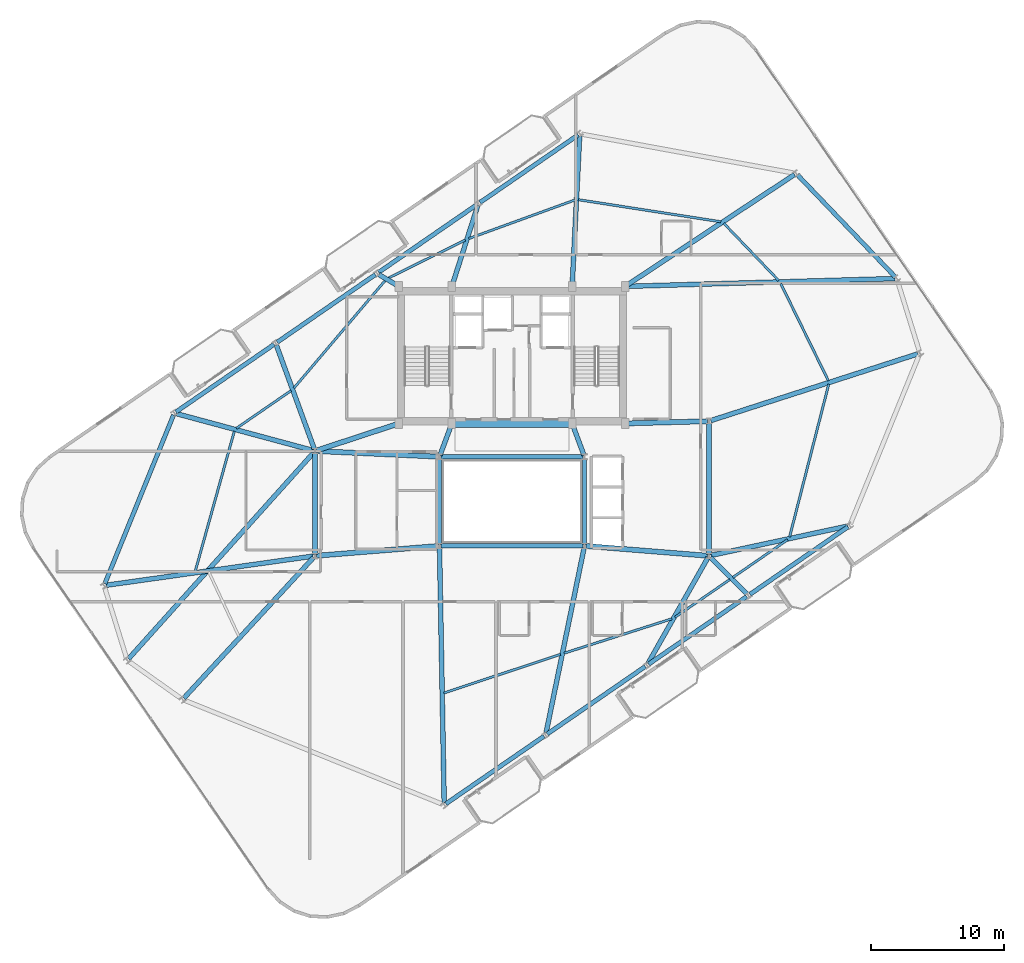
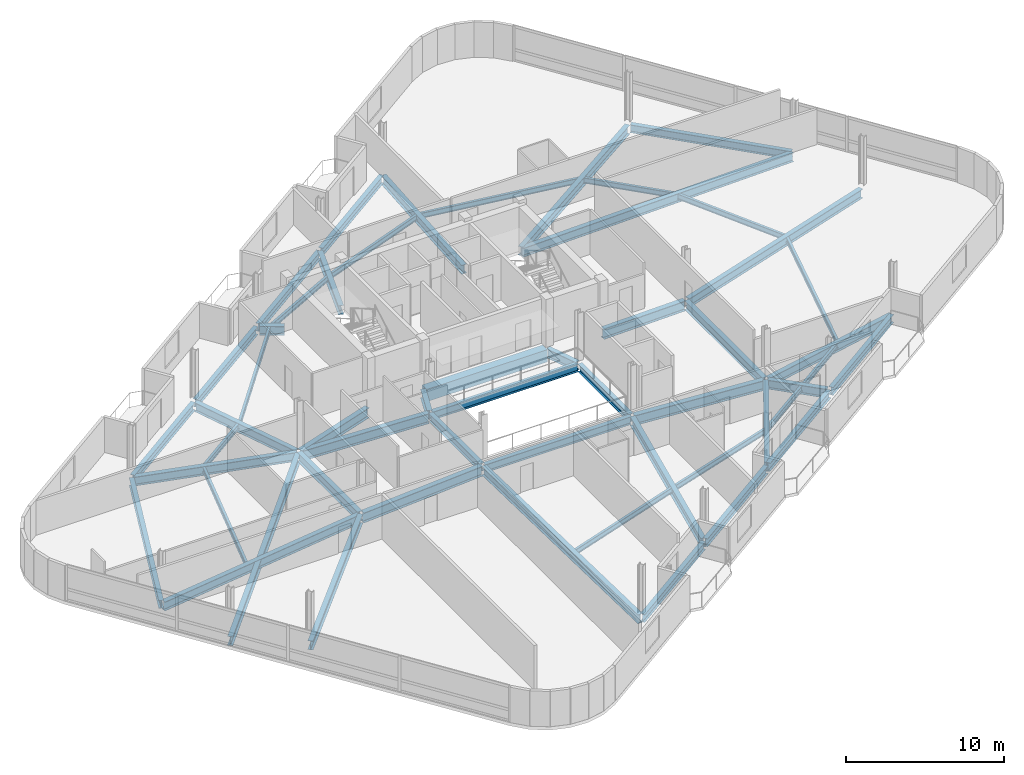
# One storey, part 7 of 21: 53 beams.
"""IFC4 building model written with IfcOpenShell, lengths in metres."""

from ifc_helpers import new_model, si_unit, direction, frame, origin, origin_2d, place, context, subcontext, project, spatial, rectangle, i_section, extrude, material, material_profile, profile_set, type_object, element, save


model = new_model("IFC4")

# Units and contexts
model_context = context("Model", 3, precision=1e-05, world=origin(), true_north=direction((0.0, 1.0)))
body_context = subcontext(model_context, "Body", "Model", "MODEL_VIEW")
ifc_project = project(units=[si_unit("LENGTHUNIT", "METRE"), si_unit("AREAUNIT", "SQUARE_METRE"), si_unit("VOLUMEUNIT", "CUBIC_METRE"), si_unit("PLANEANGLEUNIT", "RADIAN"), si_unit("MASSUNIT", "GRAM", prefix="KILO")], contexts=[model_context])

# Site, building, storey
site_placement = place(None, origin())
site = spatial("IfcSite", under=ifc_project, at=site_placement, CompositionType="ELEMENT")
building_placement = place(site_placement, origin())
building = spatial("IfcBuilding", under=site, at=building_placement, Name="Varnelok Gate Tower", CompositionType="ELEMENT")
storey_placement = place(building_placement, frame((0.0, 0.0, 261.89990234375)))
storey = spatial("IfcBuildingStorey", under=building, at=storey_placement, Name="L67", CompositionType="ELEMENT", Elevation=261.89990234375)

# Beams
ifc_material_1 = material(Name="Structural Steel ASTM A992 Grade 50", Category="steel")
ifc_material_profile_1 = material_profile(ifc_material_1, i_section(OverallWidth=0.180908203125, OverallDepth=0.4169921875, WebThickness=0.010986328125, FlangeThickness=0.018310546875, FilletRadius=0.013916015625, at=origin_2d()), Name="W16X57")
ifc_profile_set_1 = profile_set([ifc_material_profile_1], Name="Structural Steel ASTM A992 Grade 50")
beam_type_1 = type_object("IfcBeamType", Name="BM-JST-W16X57", PredefinedType="JOIST", material=ifc_profile_set_1)
beam_1_placement = place(storey_placement, frame((34.086669921875, 8.49658203125, -0.45849609375), z_axis=(0.949274037085, 0.314450000026, 0.0), x_axis=(-0.314450000026, 0.949274037085, 0.0)))
element("IfcBeam", 1, at=beam_1_placement, inside=storey, type_object=beam_type_1, Name="L67 Sector Floor Joist 1", PredefinedType="JOIST", context=body_context, shape_type="SweptSolid", body=[
    extrude(i_section(OverallWidth=0.180908203125, OverallDepth=0.4169921875, WebThickness=0.010986328125, FlangeThickness=0.018310546875, FilletRadius=0.013916015625, at=origin_2d()), origin(), (0.0, 0.0, 1.0), 9.2314453125),
])
beam_2_placement = place(storey_placement, frame((43.1162109375, 11.486083984375, -0.45849609375), z_axis=(0.952675675673, 0.303988580347, 0.0), x_axis=(-0.303988580347, 0.952675675673, 0.0)))
element("IfcBeam", 2, at=beam_2_placement, inside=storey, type_object=beam_type_1, Name="L67 Sector Floor Joist 2", PredefinedType="JOIST", context=body_context, shape_type="SweptSolid", body=[
    extrude(i_section(OverallWidth=0.180908203125, OverallDepth=0.4169921875, WebThickness=0.010986328125, FlangeThickness=0.018310546875, FilletRadius=0.013916015625, at=origin_2d()), origin(), (0.0, 0.0, 1.0), 8.497802734375),
])
beam_3_placement = place(storey_placement, frame((51.460693359375, 14.19140625, -0.45849609375), z_axis=(0.823527908528, 0.567275756468, 0.0), x_axis=(-0.567275756468, 0.823527908528, 0.0)))
element("IfcBeam", 3, at=beam_3_placement, inside=storey, type_object=beam_type_1, Name="L67 Sector Floor Joist 3", PredefinedType="JOIST", context=body_context, shape_type="SweptSolid", body=[
    extrude(i_section(OverallWidth=0.180908203125, OverallDepth=0.4169921875, WebThickness=0.010986328125, FlangeThickness=0.018310546875, FilletRadius=0.013916015625, at=origin_2d()), origin(), (0.0, 0.0, 1.0), 4.992431640625),
])
beam_4_placement = place(storey_placement, frame((55.802734375, 17.18212890625, -0.45849609375), z_axis=(0.823520800119, 0.567286075778, 0.0), x_axis=(-0.567286075778, 0.823520800119, 0.0)))
element("IfcBeam", 4, at=beam_4_placement, inside=storey, type_object=beam_type_1, Name="L67 Sector Floor Joist 4", PredefinedType="JOIST", context=body_context, shape_type="SweptSolid", body=[
    extrude(i_section(OverallWidth=0.180908203125, OverallDepth=0.4169921875, WebThickness=0.010986328125, FlangeThickness=0.018310546875, FilletRadius=0.013916015625, at=origin_2d()), origin(), (0.0, 0.0, 1.0), 4.99267578125),
])
beam_5_placement = place(storey_placement, frame((60.064208984375, 20.229248046875, -0.45849609375), z_axis=(0.248276124204, 0.968689303208, 0.0), x_axis=(-0.968689303208, 0.248276124204, 0.0)))
element("IfcBeam", 5, at=beam_5_placement, inside=storey, type_object=beam_type_1, Name="L67 Sector Floor Joist 5", PredefinedType="JOIST", context=body_context, shape_type="SweptSolid", body=[
    extrude(i_section(OverallWidth=0.180908203125, OverallDepth=0.4169921875, WebThickness=0.010986328125, FlangeThickness=0.018310546875, FilletRadius=0.013916015625, at=origin_2d()), origin(), (0.0, 0.0, 1.0), 11.83935546875),
])
beam_6_placement = place(storey_placement, frame((62.976806640625, 31.959228515625, -0.45849609375), z_axis=(-0.439970708301, 0.898012124549, 0.0), x_axis=(-0.898012124549, -0.439970708301, 0.0)))
element("IfcBeam", 6, at=beam_6_placement, inside=storey, type_object=beam_type_1, Name="L67 Sector Floor Joist 6", PredefinedType="JOIST", context=body_context, shape_type="SweptSolid", body=[
    extrude(i_section(OverallWidth=0.180908203125, OverallDepth=0.4169921875, WebThickness=0.010986328125, FlangeThickness=0.018310546875, FilletRadius=0.013916015625, at=origin_2d()), origin(), (0.0, 0.0, 1.0), 8.13330078125),
])
beam_7_placement = place(storey_placement, frame((59.239990234375, 39.48974609375, -0.45849609375), z_axis=(-0.691805554004, 0.722083842396, 0.0), x_axis=(-0.722083842396, -0.691805554004, 0.0)))
element("IfcBeam", 7, at=beam_7_placement, inside=storey, type_object=beam_type_1, Name="L67 Sector Floor Joist 7", PredefinedType="JOIST", context=body_context, shape_type="SweptSolid", body=[
    extrude(i_section(OverallWidth=0.180908203125, OverallDepth=0.4169921875, WebThickness=0.010986328125, FlangeThickness=0.018310546875, FilletRadius=0.013916015625, at=origin_2d()), origin(), (0.0, 0.0, 1.0), 5.95068359375),
])
beam_8_placement = place(storey_placement, frame((54.88818359375, 43.9091796875, -0.45849609375), z_axis=(-0.98823160299, 0.152965024929, 0.0), x_axis=(-0.152965024929, -0.98823160299, 0.0)))
element("IfcBeam", 8, at=beam_8_placement, inside=storey, type_object=beam_type_1, Name="L67 Sector Floor Joist 8", PredefinedType="JOIST", context=body_context, shape_type="SweptSolid", body=[
    extrude(i_section(OverallWidth=0.180908203125, OverallDepth=0.4169921875, WebThickness=0.010986328125, FlangeThickness=0.018310546875, FilletRadius=0.013916015625, at=origin_2d()), origin(), (0.0, 0.0, 1.0), 10.830810546875),
])
beam_9_placement = place(storey_placement, frame((43.914794921875, 45.53955078125, -0.45849609375), z_axis=(-0.939849757467, -0.34158810487, 0.0), x_axis=(0.34158810487, -0.939849757467, 0.0)))
element("IfcBeam", 9, at=beam_9_placement, inside=storey, type_object=beam_type_1, Name="L67 Sector Floor Joist 9", PredefinedType="JOIST", context=body_context, shape_type="SweptSolid", body=[
    extrude(i_section(OverallWidth=0.180908203125, OverallDepth=0.4169921875, WebThickness=0.010986328125, FlangeThickness=0.018310546875, FilletRadius=0.013916015625, at=origin_2d()), origin(), (0.0, 0.0, 1.0), 8.475830078125),
])
beam_10_placement = place(storey_placement, frame((35.691650390625, 42.534423828125, -0.45849609375), z_axis=(-0.896552094437, -0.442938304914, 0.0), x_axis=(0.442938304914, -0.896552094437, 0.0)))
element("IfcBeam", 10, at=beam_10_placement, inside=storey, type_object=beam_type_1, Name="L67 Sector Floor Joist 10", PredefinedType="JOIST", context=body_context, shape_type="SweptSolid", body=[
    extrude(i_section(OverallWidth=0.180908203125, OverallDepth=0.4169921875, WebThickness=0.010986328125, FlangeThickness=0.018310546875, FilletRadius=0.013916015625, at=origin_2d()), origin(), (0.0, 0.0, 1.0), 6.471923828125),
])
beam_11_placement = place(storey_placement, frame((29.673095703125, 39.498779296875, -0.45849609375), z_axis=(-0.647000133206, -0.762489886905, 0.0), x_axis=(0.762489886905, -0.647000133206, 0.0)))
element("IfcBeam", 11, at=beam_11_placement, inside=storey, type_object=beam_type_1, Name="L67 Sector Floor Joist 11", PredefinedType="JOIST", context=body_context, shape_type="SweptSolid", body=[
    extrude(i_section(OverallWidth=0.180908203125, OverallDepth=0.4169921875, WebThickness=0.010986328125, FlangeThickness=0.018310546875, FilletRadius=0.013916015625, at=origin_2d()), origin(), (0.0, 0.0, 1.0), 10.618408203125),
])
beam_12_placement = place(storey_placement, frame((22.597412109375, 31.21630859375, -0.45849609375), z_axis=(-0.823520800119, -0.567286075778, 0.0), x_axis=(0.567286075778, -0.823520800119, 0.0)))
element("IfcBeam", 12, at=beam_12_placement, inside=storey, type_object=beam_type_1, Name="L67 Sector Floor Joist 12", PredefinedType="JOIST", context=body_context, shape_type="SweptSolid", body=[
    extrude(i_section(OverallWidth=0.180908203125, OverallDepth=0.4169921875, WebThickness=0.010986328125, FlangeThickness=0.018310546875, FilletRadius=0.013916015625, at=origin_2d()), origin(), (0.0, 0.0, 1.0), 4.99267578125),
])
beam_13_placement = place(storey_placement, frame((18.332763671875, 28.169921875, -0.45849609375), z_axis=(-0.268896021427, -0.963169211333, 0.0), x_axis=(0.963169211333, -0.268896021427, 0.0)))
element("IfcBeam", 13, at=beam_13_placement, inside=storey, type_object=beam_type_1, Name="L67 Sector Floor Joist 13", PredefinedType="JOIST", context=body_context, shape_type="SweptSolid", body=[
    extrude(i_section(OverallWidth=0.180908203125, OverallDepth=0.4169921875, WebThickness=0.010986328125, FlangeThickness=0.018310546875, FilletRadius=0.013916015625, at=origin_2d()), origin(), (0.0, 0.0, 1.0), 10.908935546875),
])
ifc_material_2 = material(Name="Concrete C60/75", Category="concrete")
ifc_material_profile_2 = material_profile(ifc_material_2, rectangle(XDim=0.60009765625, YDim=0.949951171875, at=origin_2d()), Name="RC950X600")
ifc_profile_set_2 = profile_set([ifc_material_profile_2], Name="Concrete C60/75")
beam_type_2 = type_object("IfcBeamType", Name="BM-LNT-RC950", PredefinedType="LINTEL", material=ifc_profile_set_2)
beam_14_placement = place(storey_placement, frame((34.800048828125, 28.75, -0.724853515625), z_axis=(1.0, 0.0, 0.0), x_axis=(0.0, 1.0, 0.0)))
element("IfcBeam", 14, at=beam_14_placement, inside=storey, type_object=beam_type_2, Name="L67 Core-Atrium Spine Beam 7", PredefinedType="LINTEL", context=body_context, shape_type="SweptSolid", body=[
    extrude(rectangle(XDim=0.60009765625, YDim=0.949951171875, at=origin_2d()), origin(), (0.0, 0.0, 1.0), 8.800048828125),
])
ifc_material_profile_3 = material_profile(ifc_material_1, i_section(OverallWidth=0.35498046875, OverallDepth=0.696044921875, WebThickness=0.015380859375, FlangeThickness=0.02490234375, FilletRadius=0.02001953125, at=origin_2d()), Name="W27X146")
ifc_profile_set_3 = profile_set([ifc_material_profile_3], Name="Structural Steel ASTM A992 Grade 50")
beam_type_3 = type_object("IfcBeamType", Name="BM-PRI-W27X146", PredefinedType="BEAM", material=ifc_profile_set_3)
for number, where, z_axis, x_axis, name in (
    (15, (33.791748046875, 26.362548828125, -0.597900390625), (0.348719329408, 0.937227202602, 0.0), (-0.937227202602, 0.348719329408, 0.0), "L67 Core-Atrium Spine Beam 12"),
    (16, (44.608154296875, 26.362548828125, -0.597900390625), (-0.348719329408, 0.937227202602, 0.0), (-0.937227202602, -0.348719329408, 0.0), "L67 Core-Atrium Spine Beam 13"),
):
    element("IfcBeam", number, at=place(storey_placement, frame(where, z_axis=z_axis, x_axis=x_axis)), inside=storey, type_object=beam_type_3, Name=name, PredefinedType="BEAM", context=body_context, shape_type="SweptSolid", body=[
        extrude(i_section(OverallWidth=0.35498046875, OverallDepth=0.696044921875, WebThickness=0.015380859375, FlangeThickness=0.02490234375, FilletRadius=0.02001953125, at=origin_2d()), origin(), (0.0, 0.0, 1.0), 2.42724609375),
    ])
beam_15_placement = place(storey_placement, frame((24.39990234375, 18.919921875, -0.597900390625), z_axis=(0.0, 1.0, 0.0), x_axis=(-1.0, 0.0, 0.0)))
element("IfcBeam", 17, at=beam_15_placement, inside=storey, type_object=beam_type_3, Name="L67 Core-Atrium Spine Beam 16", PredefinedType="BEAM", context=body_context, shape_type="SweptSolid", body=[
    extrude(i_section(OverallWidth=0.35498046875, OverallDepth=0.696044921875, WebThickness=0.015380859375, FlangeThickness=0.02490234375, FilletRadius=0.02001953125, at=origin_2d()), origin(), (0.0, 0.0, 1.0), 7.64013671875),
])
beam_16_placement = place(storey_placement, frame((54.0, 18.919921875, -0.597900390625), z_axis=(0.0, 1.0, 0.0), x_axis=(-1.0, 0.0, 0.0)))
element("IfcBeam", 18, at=beam_16_placement, inside=storey, type_object=beam_type_3, Name="L67 Core-Atrium Spine Beam 20", PredefinedType="BEAM", context=body_context, shape_type="SweptSolid", body=[
    extrude(i_section(OverallWidth=0.35498046875, OverallDepth=0.696044921875, WebThickness=0.015380859375, FlangeThickness=0.02490234375, FilletRadius=0.02001953125, at=origin_2d()), origin(), (0.0, 0.0, 1.0), 9.880126953125),
])
beam_17_placement = place(storey_placement, frame((33.752685546875, 19.39990234375, -0.597900390625), z_axis=(0.018349623406, -0.999831631486, 0.0), x_axis=(0.999831631486, 0.018349623406, 0.0)))
element("IfcBeam", 19, at=beam_17_placement, inside=storey, type_object=beam_type_3, Name="L67 Radial Floor Girder 1", PredefinedType="BEAM", context=body_context, shape_type="SweptSolid", body=[
    extrude(i_section(OverallWidth=0.35498046875, OverallDepth=0.696044921875, WebThickness=0.015380859375, FlangeThickness=0.02490234375, FilletRadius=0.02001953125, at=origin_2d()), origin(), (0.0, 0.0, 1.0), 19.17236328125),
])
beam_18_placement = place(storey_placement, frame((44.619873046875, 19.403076171875, -0.597900390625), z_axis=(-0.201445575576, -0.979499709077, 0.0), x_axis=(0.979499709077, -0.201445575576, 0.0)))
element("IfcBeam", 20, at=beam_18_placement, inside=storey, type_object=beam_type_3, Name="L67 Radial Floor Girder 2", PredefinedType="BEAM", context=body_context, shape_type="SweptSolid", body=[
    extrude(i_section(OverallWidth=0.35498046875, OverallDepth=0.696044921875, WebThickness=0.015380859375, FlangeThickness=0.02490234375, FilletRadius=0.02001953125, at=origin_2d()), origin(), (0.0, 0.0, 1.0), 14.2197265625),
])
beam_19_placement = place(storey_placement, frame((53.926025390625, 18.66943359375, -0.597900390625), z_axis=(-0.49272782428, -0.870183481331, 0.0), x_axis=(0.870183481331, -0.49272782428, 0.0)))
element("IfcBeam", 21, at=beam_19_placement, inside=storey, type_object=beam_type_3, Name="L67 Radial Floor Girder 3", PredefinedType="BEAM", context=body_context, shape_type="SweptSolid", body=[
    extrude(i_section(OverallWidth=0.35498046875, OverallDepth=0.696044921875, WebThickness=0.015380859375, FlangeThickness=0.02490234375, FilletRadius=0.02001953125, at=origin_2d()), origin(), (0.0, 0.0, 1.0), 9.151611328125),
])
beam_20_placement = place(storey_placement, frame((54.105712890625, 18.693603515625, -0.597900390625), z_axis=(0.705068615511, -0.709139088911, 0.0), x_axis=(0.709139088911, 0.705068615511, 0.0)))
element("IfcBeam", 22, at=beam_20_placement, inside=storey, type_object=beam_type_3, Name="L67 Radial Floor Girder 4", PredefinedType="BEAM", context=body_context, shape_type="SweptSolid", body=[
    extrude(i_section(OverallWidth=0.35498046875, OverallDepth=0.696044921875, WebThickness=0.015380859375, FlangeThickness=0.02490234375, FilletRadius=0.02001953125, at=origin_2d()), origin(), (0.0, 0.0, 1.0), 3.898681640625),
])
beam_21_placement = place(storey_placement, frame((54.146728515625, 18.83154296875, -0.597900390625), z_axis=(0.977750075893, 0.209773184872, 0.0), x_axis=(-0.209773184872, 0.977750075893, 0.0)))
element("IfcBeam", 23, at=beam_21_placement, inside=storey, type_object=beam_type_3, Name="L67 Radial Floor Girder 5", PredefinedType="BEAM", context=body_context, shape_type="SweptSolid", body=[
    extrude(i_section(OverallWidth=0.35498046875, OverallDepth=0.696044921875, WebThickness=0.015380859375, FlangeThickness=0.02490234375, FilletRadius=0.02001953125, at=origin_2d()), origin(), (0.0, 0.0, 1.0), 10.518798828125),
])
beam_22_placement = place(storey_placement, frame((54.142822265625, 28.966064453125, -0.597900390625), z_axis=(0.95177048337, 0.306810930356, 0.0), x_axis=(-0.306810930356, 0.95177048337, 0.0)))
element("IfcBeam", 24, at=beam_22_placement, inside=storey, type_object=beam_type_3, Name="L67 Radial Floor Girder 6", PredefinedType="BEAM", context=body_context, shape_type="SweptSolid", body=[
    extrude(i_section(OverallWidth=0.35498046875, OverallDepth=0.696044921875, WebThickness=0.015380859375, FlangeThickness=0.02490234375, FilletRadius=0.02001953125, at=origin_2d()), origin(), (0.0, 0.0, 1.0), 16.3603515625),
])
beam_23_placement = place(storey_placement, frame((47.849853515625, 39.054443359375, -0.597900390625), z_axis=(0.999576755953, 0.029091389778, 0.0), x_axis=(-0.029091389778, 0.999576755953, 0.0)))
element("IfcBeam", 25, at=beam_23_placement, inside=storey, type_object=beam_type_3, Name="L67 Radial Floor Girder 7", PredefinedType="BEAM", context=body_context, shape_type="SweptSolid", body=[
    extrude(i_section(OverallWidth=0.35498046875, OverallDepth=0.696044921875, WebThickness=0.015380859375, FlangeThickness=0.02490234375, FilletRadius=0.02001953125, at=origin_2d()), origin(), (0.0, 0.0, 1.0), 20.12451171875),
])
beam_24_placement = place(storey_placement, frame((47.8251953125, 39.1328125, -0.597900390625), z_axis=(0.834499250809, 0.551009074697, 0.0), x_axis=(-0.551009074697, 0.834499250809, 0.0)))
element("IfcBeam", 26, at=beam_24_placement, inside=storey, type_object=beam_type_3, Name="L67 Radial Floor Girder 8", PredefinedType="BEAM", context=body_context, shape_type="SweptSolid", body=[
    extrude(i_section(OverallWidth=0.35498046875, OverallDepth=0.696044921875, WebThickness=0.015380859375, FlangeThickness=0.02490234375, FilletRadius=0.02001953125, at=origin_2d()), origin(), (0.0, 0.0, 1.0), 15.102783203125),
])
beam_25_placement = place(storey_placement, frame((43.7275390625, 39.19970703125, -0.597900390625), z_axis=(0.049860312634, 0.998756201094, 0.0), x_axis=(-0.998756201094, 0.049860312634, 0.0)))
element("IfcBeam", 27, at=beam_25_placement, inside=storey, type_object=beam_type_3, Name="L67 Radial Floor Girder 9", PredefinedType="BEAM", context=body_context, shape_type="SweptSolid", body=[
    extrude(i_section(OverallWidth=0.35498046875, OverallDepth=0.696044921875, WebThickness=0.015380859375, FlangeThickness=0.02490234375, FilletRadius=0.02001953125, at=origin_2d()), origin(), (0.0, 0.0, 1.0), 11.18359375),
])
beam_26_placement = place(storey_placement, frame((34.725830078125, 39.19287109375, -0.597900390625), z_axis=(0.305315663047, 0.952251198948, 0.0), x_axis=(-0.952251198948, 0.305315663047, 0.0)))
element("IfcBeam", 28, at=beam_26_placement, inside=storey, type_object=beam_type_3, Name="L67 Radial Floor Girder 10", PredefinedType="BEAM", context=body_context, shape_type="SweptSolid", body=[
    extrude(i_section(OverallWidth=0.35498046875, OverallDepth=0.696044921875, WebThickness=0.015380859375, FlangeThickness=0.02490234375, FilletRadius=0.02001953125, at=origin_2d()), origin(), (0.0, 0.0, 1.0), 6.23388671875),
])
beam_27_placement = place(storey_placement, frame((30.571044921875, 39.12646484375, -0.597900390625), z_axis=(-0.859971198292, 0.510342569367, 0.0), x_axis=(-0.510342569367, -0.859971198292, 0.0)))
element("IfcBeam", 29, at=beam_27_placement, inside=storey, type_object=beam_type_3, Name="L67 Radial Floor Girder 11", PredefinedType="BEAM", context=body_context, shape_type="SweptSolid", body=[
    extrude(i_section(OverallWidth=0.35498046875, OverallDepth=0.696044921875, WebThickness=0.015380859375, FlangeThickness=0.02490234375, FilletRadius=0.02001953125, at=origin_2d()), origin(), (0.0, 0.0, 1.0), 1.6103515625),
])
beam_28_placement = place(storey_placement, frame((24.348388671875, 26.82080078125, -0.597900390625), z_axis=(-0.343337291508, 0.939212172121, 0.0), x_axis=(-0.939212172121, -0.343337291508, 0.0)))
element("IfcBeam", 30, at=beam_28_placement, inside=storey, type_object=beam_type_3, Name="L67 Radial Floor Girder 12", PredefinedType="BEAM", context=body_context, shape_type="SweptSolid", body=[
    extrude(i_section(OverallWidth=0.35498046875, OverallDepth=0.696044921875, WebThickness=0.015380859375, FlangeThickness=0.02490234375, FilletRadius=0.02001953125, at=origin_2d()), origin(), (0.0, 0.0, 1.0), 8.32177734375),
])
beam_29_placement = place(storey_placement, frame((24.255126953125, 26.718994140625, -0.597900390625), z_axis=(-0.965561980059, 0.260173139782, 0.0), x_axis=(-0.260173139782, -0.965561980059, 0.0)))
element("IfcBeam", 31, at=beam_29_placement, inside=storey, type_object=beam_type_3, Name="L67 Radial Floor Girder 13", PredefinedType="BEAM", context=body_context, shape_type="SweptSolid", body=[
    extrude(i_section(OverallWidth=0.35498046875, OverallDepth=0.696044921875, WebThickness=0.015380859375, FlangeThickness=0.02490234375, FilletRadius=0.02001953125, at=origin_2d()), origin(), (0.0, 0.0, 1.0), 10.6552734375),
])
beam_30_placement = place(storey_placement, frame((24.25146484375, 18.779052734375, -0.597900390625), z_axis=(-0.990242546669, -0.139354579277, 0.0), x_axis=(0.139354579277, -0.990242546669, 0.0)))
element("IfcBeam", 32, at=beam_30_placement, inside=storey, type_object=beam_type_3, Name="L67 Radial Floor Girder 14", PredefinedType="BEAM", context=body_context, shape_type="SweptSolid", body=[
    extrude(i_section(OverallWidth=0.35498046875, OverallDepth=0.696044921875, WebThickness=0.015380859375, FlangeThickness=0.02490234375, FilletRadius=0.02001953125, at=origin_2d()), origin(), (0.0, 0.0, 1.0), 15.713134765625),
])
beam_31_placement = place(storey_placement, frame((24.2998046875, 26.568359375, -0.597900390625), z_axis=(-0.668020095308, -0.744143233702, 0.0), x_axis=(0.744143233702, -0.668020095308, 0.0)))
element("IfcBeam", 33, at=beam_31_placement, inside=storey, type_object=beam_type_3, Name="L67 Radial Floor Girder 15", PredefinedType="BEAM", context=body_context, shape_type="SweptSolid", body=[
    extrude(i_section(OverallWidth=0.35498046875, OverallDepth=0.696044921875, WebThickness=0.015380859375, FlangeThickness=0.02490234375, FilletRadius=0.02001953125, at=origin_2d()), origin(), (0.0, 0.0, 1.0), 20.83056640625),
])
beam_32_placement = place(storey_placement, frame((24.29833984375, 18.689697265625, -0.597900390625), z_axis=(-0.677969926739, -0.73508963973, 0.0), x_axis=(0.73508963973, -0.677969926739, 0.0)))
element("IfcBeam", 34, at=beam_32_placement, inside=storey, type_object=beam_type_3, Name="L67 Radial Floor Girder 16", PredefinedType="BEAM", context=body_context, shape_type="SweptSolid", body=[
    extrude(i_section(OverallWidth=0.35498046875, OverallDepth=0.696044921875, WebThickness=0.015380859375, FlangeThickness=0.02490234375, FilletRadius=0.02001953125, at=origin_2d()), origin(), (0.0, 0.0, 1.0), 14.386962890625),
])
ifc_material_profile_4 = material_profile(ifc_material_1, i_section(OverallWidth=0.381103515625, OverallDepth=0.77294921875, WebThickness=0.0166015625, FlangeThickness=0.027099609375, FilletRadius=0.02197265625, at=origin_2d()), Name="W30X173")
ifc_profile_set_4 = profile_set([ifc_material_profile_4], Name="Structural Steel ASTM A992 Grade 50")
beam_type_4 = type_object("IfcBeamType", Name="BM-PRI-W30X173", PredefinedType="BEAM", material=ifc_profile_set_4)
beam_33_placement = place(storey_placement, frame((24.51953125, 18.8095703125, -0.636474609375), z_axis=(0.996799206292, 0.07994587128, 0.0), x_axis=(-0.07994587128, 0.996799206292, 0.0)))
element("IfcBeam", 35, at=beam_33_placement, inside=storey, type_object=beam_type_4, Name="L67 Core-Atrium Spine Beam 14", PredefinedType="BEAM", context=body_context, shape_type="SweptSolid", body=[
    extrude(i_section(OverallWidth=0.381103515625, OverallDepth=0.77294921875, WebThickness=0.0166015625, FlangeThickness=0.027099609375, FilletRadius=0.02197265625, at=origin_2d()), origin(), (0.0, 0.0, 1.0), 9.14013671875),
])
beam_34_placement = place(storey_placement, frame((24.52001953125, 26.674560546875, -0.636474609375), z_axis=(0.99894427814, -0.045938319209, 0.0), x_axis=(0.045938319209, 0.99894427814, 0.0)))
element("IfcBeam", 36, at=beam_34_placement, inside=storey, type_object=beam_type_4, Name="L67 Core-Atrium Spine Beam 15", PredefinedType="BEAM", context=body_context, shape_type="SweptSolid", body=[
    extrude(i_section(OverallWidth=0.381103515625, OverallDepth=0.77294921875, WebThickness=0.0166015625, FlangeThickness=0.027099609375, FilletRadius=0.02197265625, at=origin_2d()), origin(), (0.0, 0.0, 1.0), 9.11962890625),
])
beam_35_placement = place(storey_placement, frame((24.513916015625, 26.717529296875, -0.636474609375), z_axis=(0.950041943788, 0.312122259768, 0.0), x_axis=(-0.312122259768, 0.950041943788, 0.0)))
element("IfcBeam", 37, at=beam_35_placement, inside=storey, type_object=beam_type_4, Name="L67 Core-Atrium Spine Beam 17", PredefinedType="BEAM", context=body_context, shape_type="SweptSolid", body=[
    extrude(i_section(OverallWidth=0.381103515625, OverallDepth=0.77294921875, WebThickness=0.0166015625, FlangeThickness=0.027099609375, FilletRadius=0.02197265625, at=origin_2d()), origin(), (0.0, 0.0, 1.0), 6.391357421875),
])
beam_36_placement = place(storey_placement, frame((44.76953125, 19.540283203125, -0.636474609375), z_axis=(0.996799206292, -0.07994587128, 0.0), x_axis=(0.07994587128, 0.996799206292, 0.0)))
element("IfcBeam", 38, at=beam_36_placement, inside=storey, type_object=beam_type_4, Name="L67 Core-Atrium Spine Beam 18", PredefinedType="BEAM", context=body_context, shape_type="SweptSolid", body=[
    extrude(i_section(OverallWidth=0.381103515625, OverallDepth=0.77294921875, WebThickness=0.0166015625, FlangeThickness=0.027099609375, FilletRadius=0.02197265625, at=origin_2d()), origin(), (0.0, 0.0, 1.0), 9.14013671875),
])
beam_37_placement = place(storey_placement, frame((47.820068359375, 28.753173828125, -0.636474609375), z_axis=(0.999635880609, 0.026983443053, 0.0), x_axis=(-0.026983443053, 0.999635880609, 0.0)))
element("IfcBeam", 39, at=beam_37_placement, inside=storey, type_object=beam_type_4, Name="L67 Core-Atrium Spine Beam 19", PredefinedType="BEAM", context=body_context, shape_type="SweptSolid", body=[
    extrude(i_section(OverallWidth=0.381103515625, OverallDepth=0.77294921875, WebThickness=0.0166015625, FlangeThickness=0.027099609375, FilletRadius=0.02197265625, at=origin_2d()), origin(), (0.0, 0.0, 1.0), 6.06201171875),
])
ifc_material_profile_5 = material_profile(ifc_material_1, i_section(OverallWidth=0.323974609375, OverallDepth=0.611083984375, WebThickness=0.0126953125, FlangeThickness=0.01904296875, FilletRadius=0.01806640625, at=origin_2d()), Name="W24X104")
ifc_profile_set_5 = profile_set([ifc_material_profile_5], Name="Structural Steel ASTM A992 Grade 50")
beam_type_5 = type_object("IfcBeamType", Name="BM-SPN-W24X104", PredefinedType="SPANDREL", material=ifc_profile_set_5)
for number, where, z_axis, x_axis, name in (
    (40, (33.8701171875, 19.550048828125, -0.555419921875), (1.0, 0.0, 0.0), (0.0, 1.0, 0.0), "L67 Core-Atrium Spine Beam 8"),
    (41, (33.8701171875, 26.25, -0.555419921875), (1.0, 0.0, 0.0), (0.0, 1.0, 0.0), "L67 Core-Atrium Spine Beam 9"),
):
    element("IfcBeam", number, at=place(storey_placement, frame(where, z_axis=z_axis, x_axis=x_axis)), inside=storey, type_object=beam_type_5, Name=name, PredefinedType="SPANDREL", context=body_context, shape_type="SweptSolid", body=[
        extrude(i_section(OverallWidth=0.323974609375, OverallDepth=0.611083984375, WebThickness=0.0126953125, FlangeThickness=0.01904296875, FilletRadius=0.01806640625, at=origin_2d()), origin(), (0.0, 0.0, 1.0), 10.659912109375),
    ])
for number, where, z_axis, x_axis, name in (
    (42, (33.75, 19.669921875, -0.555419921875), (0.0, 1.0, 0.0), (-1.0, 0.0, 0.0), "L67 Core-Atrium Spine Beam 10"),
    (43, (44.64990234375, 19.669921875, -0.555419921875), (0.0, 1.0, 0.0), (-1.0, 0.0, 0.0), "L67 Core-Atrium Spine Beam 11"),
):
    element("IfcBeam", number, at=place(storey_placement, frame(where, z_axis=z_axis, x_axis=x_axis)), inside=storey, type_object=beam_type_5, Name=name, PredefinedType="SPANDREL", context=body_context, shape_type="SweptSolid", body=[
        extrude(i_section(OverallWidth=0.323974609375, OverallDepth=0.611083984375, WebThickness=0.0126953125, FlangeThickness=0.01904296875, FilletRadius=0.01806640625, at=origin_2d()), origin(), (0.0, 0.0, 1.0), 6.4599609375),
    ])
for number, where, z_axis, x_axis, name in (
    (44, (34.23095703125, 0.166015625, -0.555419921875), (0.823540167677, 0.567257959153, 0.0), (-0.567257959153, 0.823540167677, 0.0), "L67 Perimeter Spandrel Beam 1"),
    (45, (41.8486328125, 5.4130859375, -0.555419921875), (0.823540167677, 0.567257959153, 0.0), (-0.567257959153, 0.823540167677, 0.0), "L67 Perimeter Spandrel Beam 2"),
    (46, (49.46630859375, 10.660400390625, -0.555419921875), (0.823540167677, 0.567257959153, 0.0), (-0.567257959153, 0.823540167677, 0.0), "L67 Perimeter Spandrel Beam 3"),
    (47, (57.083984375, 15.90771484375, -0.555419921875), (0.823540167677, 0.567257959153, 0.0), (-0.567257959153, 0.823540167677, 0.0), "L67 Perimeter Spandrel Beam 4"),
):
    element("IfcBeam", number, at=place(storey_placement, frame(where, z_axis=z_axis, x_axis=x_axis)), inside=storey, type_object=beam_type_5, Name=name, PredefinedType="SPANDREL", context=body_context, shape_type="SweptSolid", body=[
        extrude(i_section(OverallWidth=0.323974609375, OverallDepth=0.611083984375, WebThickness=0.0126953125, FlangeThickness=0.01904296875, FilletRadius=0.01806640625, at=origin_2d()), origin(), (0.0, 0.0, 1.0), 8.949951171875),
    ])
beam_38_placement = place(storey_placement, frame((68.01171875, 39.75244140625, -0.555419921875), z_axis=(-0.691775667186, 0.722112474819, 0.0), x_axis=(-0.722112474819, -0.691775667186, 0.0)))
element("IfcBeam", 48, at=beam_38_placement, inside=storey, type_object=beam_type_5, Name="L67 Perimeter Spandrel Beam 7", PredefinedType="SPANDREL", context=body_context, shape_type="SweptSolid", body=[
    extrude(i_section(OverallWidth=0.323974609375, OverallDepth=0.611083984375, WebThickness=0.0126953125, FlangeThickness=0.01904296875, FilletRadius=0.01806640625, at=origin_2d()), origin(), (0.0, 0.0, 1.0), 10.630859375),
])
for number, where, z_axis, x_axis, name in (
    (49, (44.169189453125, 50.43408203125, -0.555419921875), (-0.823548945124, -0.567245215921, 0.0), (0.567245215921, -0.823548945124, 0.0), "L67 Perimeter Spandrel Beam 9"),
    (50, (36.551513671875, 45.18701171875, -0.555419921875), (-0.823536202099, -0.567263716301, 0.0), (0.567263716301, -0.823536202099, 0.0), "L67 Perimeter Spandrel Beam 10"),
):
    element("IfcBeam", number, at=place(storey_placement, frame(where, z_axis=z_axis, x_axis=x_axis)), inside=storey, type_object=beam_type_5, Name=name, PredefinedType="SPANDREL", context=body_context, shape_type="SweptSolid", body=[
        extrude(i_section(OverallWidth=0.323974609375, OverallDepth=0.611083984375, WebThickness=0.0126953125, FlangeThickness=0.01904296875, FilletRadius=0.01806640625, at=origin_2d()), origin(), (0.0, 0.0, 1.0), 8.9501953125),
    ])
beam_39_placement = place(storey_placement, frame((28.93359375, 39.939697265625, -0.555419921875), z_axis=(-0.823527424215, -0.567276459555, 0.0), x_axis=(0.567276459555, -0.823527424215, 0.0)))
element("IfcBeam", 51, at=beam_39_placement, inside=storey, type_object=beam_type_5, Name="L67 Perimeter Spandrel Beam 11", PredefinedType="SPANDREL", context=body_context, shape_type="SweptSolid", body=[
    extrude(i_section(OverallWidth=0.323974609375, OverallDepth=0.611083984375, WebThickness=0.0126953125, FlangeThickness=0.01904296875, FilletRadius=0.01806640625, at=origin_2d()), origin(), (0.0, 0.0, 1.0), 8.949951171875),
])
beam_40_placement = place(storey_placement, frame((21.316162109375, 34.6923828125, -0.555419921875), z_axis=(-0.823548945124, -0.567245215921, 0.0), x_axis=(0.567245215921, -0.823548945124, 0.0)))
element("IfcBeam", 52, at=beam_40_placement, inside=storey, type_object=beam_type_5, Name="L67 Perimeter Spandrel Beam 12", PredefinedType="SPANDREL", context=body_context, shape_type="SweptSolid", body=[
    extrude(i_section(OverallWidth=0.323974609375, OverallDepth=0.611083984375, WebThickness=0.0126953125, FlangeThickness=0.01904296875, FilletRadius=0.01806640625, at=origin_2d()), origin(), (0.0, 0.0, 1.0), 8.9501953125),
])
beam_41_placement = place(storey_placement, frame((13.765380859375, 29.391357421875, -0.555419921875), z_axis=(-0.377174006677, -0.926142412746, 0.0), x_axis=(0.926142412746, -0.377174006677, 0.0)))
element("IfcBeam", 53, at=beam_41_placement, inside=storey, type_object=beam_type_5, Name="L67 Perimeter Spandrel Beam 13", PredefinedType="SPANDREL", context=body_context, shape_type="SweptSolid", body=[
    extrude(i_section(OverallWidth=0.323974609375, OverallDepth=0.611083984375, WebThickness=0.0126953125, FlangeThickness=0.01904296875, FilletRadius=0.01806640625, at=origin_2d()), origin(), (0.0, 0.0, 1.0), 13.6953125),
])

save(model, "model.ifc")
